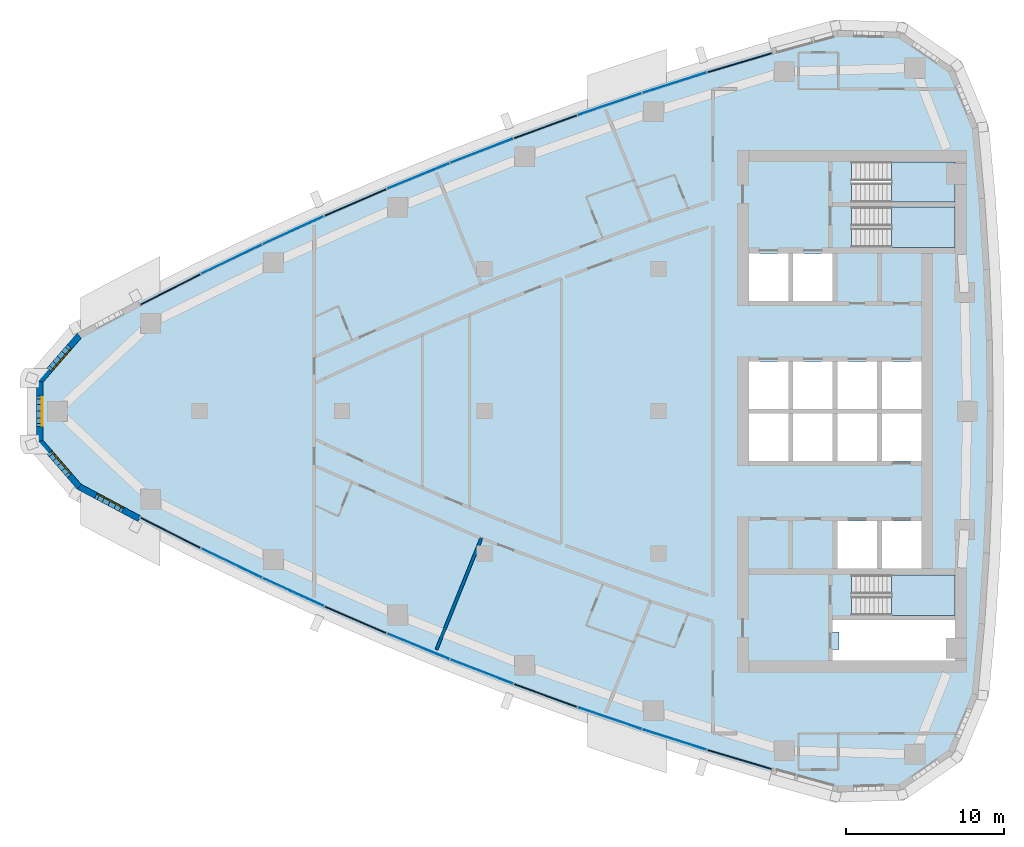
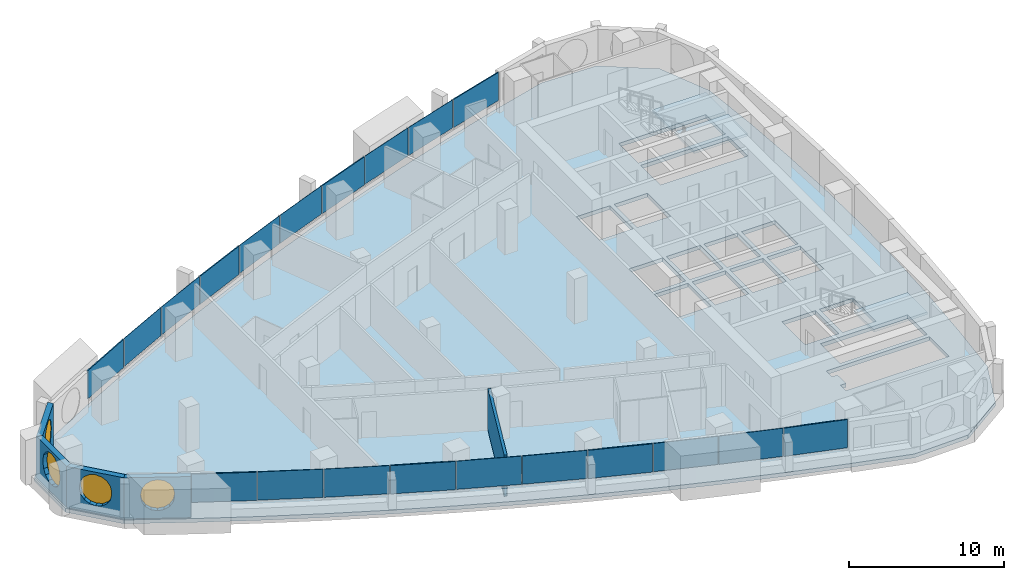
# One storey, part 8 of 16: 20 plates, 5 walls, 4 slabs, 4 windows, 5 openings, 13 elements without a shape of their own.
"""IFC4 building model written with IfcOpenShell, lengths in metres."""

from ifc_helpers import new_model, si_unit, direction, frame, frame_2d, origin, origin_2d, place, context, subcontext, project, spatial, polyline, rectangle, outline, extrude, material, layer, layer_set, type_object, element, fill, aggregate, save


model = new_model("IFC4")

# Units and contexts
model_context = context("Model", 3, precision=1e-05, world=origin(), true_north=direction((0.0, 1.0)))
body_context = subcontext(model_context, "Body", "Model", "MODEL_VIEW")
ifc_project = project(units=[si_unit("LENGTHUNIT", "METRE"), si_unit("AREAUNIT", "SQUARE_METRE"), si_unit("VOLUMEUNIT", "CUBIC_METRE"), si_unit("PLANEANGLEUNIT", "RADIAN"), si_unit("MASSUNIT", "GRAM", prefix="KILO")], contexts=[model_context])

# Site, building, storey
site_placement = place(None, origin())
site = spatial("IfcSite", under=ifc_project, at=site_placement, CompositionType="ELEMENT")
building_placement = place(site_placement, origin())
building = spatial("IfcBuilding", under=site, at=building_placement, Name="Ostrand Prow Hotel Tower", CompositionType="ELEMENT")
storey_placement = place(building_placement, frame((0.0, 0.0, 186.14990234375)))
storey = spatial("IfcBuildingStorey", under=building, at=storey_placement, Name="L46", CompositionType="ELEMENT", Elevation=186.14990234375)

# Curtain wall, plate
ifc_material_1 = material(Name="Insulated glass in bronze anodised frame", Category="glass")
ifc_layer_1 = layer(ifc_material_1, 0.199951171875)
ifc_layer_set_1 = layer_set([ifc_layer_1], Name="Insulated glass in bronze anodised frame")
curtain_wall_type = type_object("IfcCurtainWallType", Name="Strip curtain wall, fritted glass over bronze spandrel", PredefinedType="NOTDEFINED", material=ifc_layer_set_1)
curtain_wall_1_placement = place(storey_placement, origin())
curtain_wall_1 = element("IfcCurtainWall", 1, at=curtain_wall_1_placement, inside=storey, type_object=curtain_wall_type, Name="CW1 run CWS1", PredefinedType="NOTDEFINED")
ifc_material_2 = material(Name="Ceramic-fritted glass", Category="glass")
ifc_layer_2 = layer(ifc_material_2, 0.031982421875)
ifc_layer_set_2 = layer_set([ifc_layer_2], Name="Ceramic-fritted glass")
plate_type_1 = type_object("IfcPlateType", Name="Dot-fritted ceramic glass unit 32 mm", PredefinedType="CURTAIN_PANEL", material=ifc_layer_set_2)
plate_1_placement = place(storey_placement, frame((18.033203125, -9.596435546875, 1.02001953125), z_axis=(0.0, 0.0, 1.0), x_axis=(0.90061633232, -0.434615027304, 0.0)))
plate_1 = element("IfcPlate", 2, at=plate_1_placement, type_object=plate_type_1, Name="CW1 PN-D panel 2.2", PredefinedType="CURTAIN_PANEL", context=body_context, shape_type="SweptSolid", body=[
    extrude(rectangle(XDim=4.2451171875, YDim=0.031982421875, at=origin_2d()), origin(), (0.0, 0.0, 1.0), 2.22998046875),
])

curtain_wall_2_placement = place(storey_placement, origin())
curtain_wall_2 = element("IfcCurtainWall", 3, at=curtain_wall_2_placement, inside=storey, type_object=curtain_wall_type, Name="CW1 run CWS2", PredefinedType="NOTDEFINED")
plate_2_placement = place(storey_placement, frame((21.928955078125, -11.428466796875, 1.02001953125), z_axis=(0.0, 0.0, 1.0), x_axis=(0.909184517226, -0.416393460127, 0.0)))
plate_2 = element("IfcPlate", 4, at=plate_2_placement, type_object=plate_type_1, Name="CW1 PN-D panel 1.2", PredefinedType="CURTAIN_PANEL", context=body_context, shape_type="SweptSolid", body=[
    extrude(rectangle(XDim=4.2451171875, YDim=0.031982421875, at=origin_2d()), origin(), (0.0, 0.0, 1.0), 2.22998046875),
])

# Curtain wall, plates
curtain_wall_3_placement = place(storey_placement, origin())
curtain_wall_3 = element("IfcCurtainWall", 5, at=curtain_wall_3_placement, inside=storey, type_object=curtain_wall_type, Name="CW1 run CWS3", PredefinedType="NOTDEFINED")
plate_3_placement = place(storey_placement, frame((29.826904296875, -14.85498046875, 1.02001953125), z_axis=(0.0, 0.0, 1.0), x_axis=(0.925211042932, -0.379452929936, 0.0)))
plate_3 = element("IfcPlate", 6, at=plate_3_placement, type_object=plate_type_1, Name="CW1 PN-D panel 1.2", PredefinedType="CURTAIN_PANEL", context=body_context, shape_type="SweptSolid", body=[
    extrude(rectangle(XDim=4.2451171875, YDim=0.031982421875, at=origin_2d()), origin(), (0.0, 0.0, 1.0), 2.22998046875),
])
plate_4_placement = place(storey_placement, frame((33.826171875, -16.4482421875, 1.02001953125), z_axis=(0.0, 0.0, 1.0), x_axis=(0.932662950972, -0.360748970732, 0.0)))
plate_4 = element("IfcPlate", 7, at=plate_4_placement, type_object=plate_type_1, Name="CW1 PN-D panel 2.2", PredefinedType="CURTAIN_PANEL", context=body_context, shape_type="SweptSolid", body=[
    extrude(rectangle(XDim=4.2451171875, YDim=0.031982421875, at=origin_2d()), origin(), (0.0, 0.0, 1.0), 2.22998046875),
])
aggregate(curtain_wall_3, [plate_3, plate_4])

# Curtain wall, plate
curtain_wall_4_placement = place(storey_placement, origin())
curtain_wall_4 = element("IfcCurtainWall", 8, at=curtain_wall_4_placement, inside=storey, type_object=curtain_wall_type, Name="CW1 run CWS4", PredefinedType="NOTDEFINED")
plate_5_placement = place(storey_placement, frame((41.91650390625, -19.3916015625, 1.02001953125), z_axis=(0.0, 0.0, 1.0), x_axis=(0.946430245113, -0.322908332404, 0.0)))
plate_5 = element("IfcPlate", 9, at=plate_5_placement, type_object=plate_type_1, Name="CW1 PN-D panel 2.2", PredefinedType="CURTAIN_PANEL", context=body_context, shape_type="SweptSolid", body=[
    extrude(rectangle(XDim=4.2451171875, YDim=0.031982421875, at=origin_2d()), origin(), (0.0, 0.0, 1.0), 2.22998046875),
])

curtain_wall_5_placement = place(storey_placement, origin())
curtain_wall_5 = element("IfcCurtainWall", 10, at=curtain_wall_5_placement, inside=storey, type_object=curtain_wall_type, Name="CW1 run CWS5", PredefinedType="NOTDEFINED")
plate_6_placement = place(storey_placement, frame((46.00439453125, -20.74072265625, 1.02001953125), z_axis=(0.0, 0.0, 1.0), x_axis=(0.952739983864, -0.303786970008, 0.0)))
plate_6 = element("IfcPlate", 11, at=plate_6_placement, type_object=plate_type_1, Name="CW1 PN-D panel 1.2", PredefinedType="CURTAIN_PANEL", context=body_context, shape_type="SweptSolid", body=[
    extrude(rectangle(XDim=4.2451171875, YDim=0.031982421875, at=origin_2d()), origin(), (0.0, 0.0, 1.0), 2.22998046875),
])

curtain_wall_6_placement = place(storey_placement, origin())
curtain_wall_6 = element("IfcCurtainWall", 12, at=curtain_wall_6_placement, inside=storey, type_object=curtain_wall_type, Name="CW1 run CWN1", PredefinedType="NOTDEFINED")
plate_7_placement = place(storey_placement, frame((46.00439453125, 20.74072265625, 1.02001953125), z_axis=(0.0, 0.0, 1.0), x_axis=(-0.952739983864, -0.303786970008, 0.0)))
plate_7 = element("IfcPlate", 13, at=plate_7_placement, type_object=plate_type_1, Name="CW1 PN-D panel 2.2", PredefinedType="CURTAIN_PANEL", context=body_context, shape_type="SweptSolid", body=[
    extrude(rectangle(XDim=4.2451171875, YDim=0.031982421875, at=origin_2d()), origin(), (0.0, 0.0, 1.0), 2.22998046875),
])

curtain_wall_7_placement = place(storey_placement, origin())
curtain_wall_7 = element("IfcCurtainWall", 14, at=curtain_wall_7_placement, inside=storey, type_object=curtain_wall_type, Name="CW1 run CWN2", PredefinedType="NOTDEFINED")
plate_8_placement = place(storey_placement, frame((41.91650390625, 19.3916015625, 1.02001953125), z_axis=(0.0, 0.0, 1.0), x_axis=(-0.946430245113, -0.322908332404, 0.0)))
plate_8 = element("IfcPlate", 15, at=plate_8_placement, type_object=plate_type_1, Name="CW1 PN-D panel 1.2", PredefinedType="CURTAIN_PANEL", context=body_context, shape_type="SweptSolid", body=[
    extrude(rectangle(XDim=4.2451171875, YDim=0.031982421875, at=origin_2d()), origin(), (0.0, 0.0, 1.0), 2.22998046875),
])

# Curtain wall, plates
curtain_wall_8_placement = place(storey_placement, origin())
curtain_wall_8 = element("IfcCurtainWall", 16, at=curtain_wall_8_placement, inside=storey, type_object=curtain_wall_type, Name="CW1 run CWN3", PredefinedType="NOTDEFINED")
plate_9_placement = place(storey_placement, frame((33.826171875, 16.4482421875, 1.02001953125), z_axis=(0.0, 0.0, 1.0), x_axis=(-0.932662950972, -0.360748970732, 0.0)))
plate_9 = element("IfcPlate", 17, at=plate_9_placement, type_object=plate_type_1, Name="CW1 PN-D panel 1.2", PredefinedType="CURTAIN_PANEL", context=body_context, shape_type="SweptSolid", body=[
    extrude(rectangle(XDim=4.2451171875, YDim=0.031982421875, at=origin_2d()), origin(), (0.0, 0.0, 1.0), 2.22998046875),
])
plate_10_placement = place(storey_placement, frame((29.826904296875, 14.85498046875, 1.02001953125), z_axis=(0.0, 0.0, 1.0), x_axis=(-0.925211042932, -0.379452929936, 0.0)))
plate_10 = element("IfcPlate", 18, at=plate_10_placement, type_object=plate_type_1, Name="CW1 PN-D panel 2.2", PredefinedType="CURTAIN_PANEL", context=body_context, shape_type="SweptSolid", body=[
    extrude(rectangle(XDim=4.2451171875, YDim=0.031982421875, at=origin_2d()), origin(), (0.0, 0.0, 1.0), 2.22998046875),
])
aggregate(curtain_wall_8, [plate_9, plate_10])

# Curtain wall, plate
curtain_wall_9_placement = place(storey_placement, origin())
curtain_wall_9 = element("IfcCurtainWall", 19, at=curtain_wall_9_placement, inside=storey, type_object=curtain_wall_type, Name="CW1 run CWN4", PredefinedType="NOTDEFINED")
plate_11_placement = place(storey_placement, frame((21.928955078125, 11.428466796875, 1.02001953125), z_axis=(0.0, 0.0, 1.0), x_axis=(-0.909184517226, -0.416393460127, 0.0)))
plate_11 = element("IfcPlate", 20, at=plate_11_placement, type_object=plate_type_1, Name="CW1 PN-D panel 2.2", PredefinedType="CURTAIN_PANEL", context=body_context, shape_type="SweptSolid", body=[
    extrude(rectangle(XDim=4.2451171875, YDim=0.031982421875, at=origin_2d()), origin(), (0.0, 0.0, 1.0), 2.22998046875),
])

curtain_wall_10_placement = place(storey_placement, origin())
curtain_wall_10 = element("IfcCurtainWall", 21, at=curtain_wall_10_placement, inside=storey, type_object=curtain_wall_type, Name="CW1 run CWN5", PredefinedType="NOTDEFINED")
plate_12_placement = place(storey_placement, frame((18.033203125, 9.596435546875, 1.02001953125), z_axis=(0.0, 0.0, 1.0), x_axis=(-0.90061633232, -0.434615027304, 0.0)))
plate_12 = element("IfcPlate", 22, at=plate_12_placement, type_object=plate_type_1, Name="CW1 PN-D panel 1.2", PredefinedType="CURTAIN_PANEL", context=body_context, shape_type="SweptSolid", body=[
    extrude(rectangle(XDim=4.2451171875, YDim=0.031982421875, at=origin_2d()), origin(), (0.0, 0.0, 1.0), 2.22998046875),
])

# Plate
ifc_material_3 = material(Name="Fritted glass in bronze vent frame", Category="glass")
ifc_layer_3 = layer(ifc_material_3, 0.080078125)
ifc_layer_set_3 = layer_set([ifc_layer_3], Name="Fritted glass in bronze vent frame")
plate_type_2 = type_object("IfcPlateType", Name="Operable vent panel 80 mm", PredefinedType="CURTAIN_PANEL", material=ifc_layer_set_3)
plate_13_placement = place(storey_placement, frame((14.17529296875, -7.6865234375, 1.02001953125), z_axis=(0.0, 0.0, 1.0), x_axis=(0.891683792196, -0.452658828186, 0.0)))
plate_13 = element("IfcPlate", 23, at=plate_13_placement, type_object=plate_type_2, Name="CW1 PN-O2 panel 1.2", PredefinedType="CURTAIN_PANEL", context=body_context, shape_type="SweptSolid", body=[
    extrude(rectangle(XDim=4.2451171875, YDim=0.080078125, at=origin_2d()), origin(), (0.0, 0.0, 1.0), 2.22998046875),
])

aggregate(curtain_wall_1, [plate_13, plate_1])

plate_14_placement = place(storey_placement, frame((25.860595703125, -13.181396484375, 1.02001953125), z_axis=(0.0, 0.0, 1.0), x_axis=(0.917383388347, -0.398004671812, 0.0)))
plate_14 = element("IfcPlate", 24, at=plate_14_placement, type_object=plate_type_2, Name="CW1 PN-O2 panel 2.2", PredefinedType="CURTAIN_PANEL", context=body_context, shape_type="SweptSolid", body=[
    extrude(rectangle(XDim=4.2451171875, YDim=0.080078125, at=origin_2d()), origin(), (0.0, 0.0, 1.0), 2.22998046875),
])

aggregate(curtain_wall_2, [plate_2, plate_14])

plate_15_placement = place(storey_placement, frame((37.8564453125, -17.960693359375, 1.02001953125), z_axis=(0.0, 0.0, 1.0), x_axis=(0.939737383067, -0.341897134919, 0.0)))
plate_15 = element("IfcPlate", 25, at=plate_15_placement, type_object=plate_type_2, Name="CW1 PN-O2 panel 1.2", PredefinedType="CURTAIN_PANEL", context=body_context, shape_type="SweptSolid", body=[
    extrude(rectangle(XDim=4.2451171875, YDim=0.080078125, at=origin_2d()), origin(), (0.0, 0.0, 1.0), 2.22998046875),
])

aggregate(curtain_wall_4, [plate_15, plate_5])

plate_16_placement = place(storey_placement, frame((50.118896484375, -22.007080078125, 1.02001953125), z_axis=(0.0, 0.0, 1.0), x_axis=(0.958662947758, -0.284544113619, 0.0)))
plate_16 = element("IfcPlate", 26, at=plate_16_placement, type_object=plate_type_2, Name="CW1 PN-O2 panel 2.2", PredefinedType="CURTAIN_PANEL", context=body_context, shape_type="SweptSolid", body=[
    extrude(rectangle(XDim=4.2451171875, YDim=0.080078125, at=origin_2d()), origin(), (0.0, 0.0, 1.0), 2.22998046875),
])

aggregate(curtain_wall_5, [plate_6, plate_16])

plate_17_placement = place(storey_placement, frame((50.118896484375, 22.007080078125, 1.02001953125), z_axis=(0.0, 0.0, 1.0), x_axis=(-0.958662947758, -0.284544113619, 0.0)))
plate_17 = element("IfcPlate", 27, at=plate_17_placement, type_object=plate_type_2, Name="CW1 PN-O2 panel 1.2", PredefinedType="CURTAIN_PANEL", context=body_context, shape_type="SweptSolid", body=[
    extrude(rectangle(XDim=4.2451171875, YDim=0.080078125, at=origin_2d()), origin(), (0.0, 0.0, 1.0), 2.22998046875),
])

aggregate(curtain_wall_6, [plate_17, plate_7])

plate_18_placement = place(storey_placement, frame((37.8564453125, 17.960693359375, 1.02001953125), z_axis=(0.0, 0.0, 1.0), x_axis=(-0.939737383067, -0.341897134919, 0.0)))
plate_18 = element("IfcPlate", 28, at=plate_18_placement, type_object=plate_type_2, Name="CW1 PN-O2 panel 2.2", PredefinedType="CURTAIN_PANEL", context=body_context, shape_type="SweptSolid", body=[
    extrude(rectangle(XDim=4.2451171875, YDim=0.080078125, at=origin_2d()), origin(), (0.0, 0.0, 1.0), 2.22998046875),
])

aggregate(curtain_wall_7, [plate_8, plate_18])

plate_19_placement = place(storey_placement, frame((25.860595703125, 13.181396484375, 1.02001953125), z_axis=(0.0, 0.0, 1.0), x_axis=(-0.917383388347, -0.398004671812, 0.0)))
plate_19 = element("IfcPlate", 29, at=plate_19_placement, type_object=plate_type_2, Name="CW1 PN-O2 panel 1.2", PredefinedType="CURTAIN_PANEL", context=body_context, shape_type="SweptSolid", body=[
    extrude(rectangle(XDim=4.2451171875, YDim=0.080078125, at=origin_2d()), origin(), (0.0, 0.0, 1.0), 2.22998046875),
])

aggregate(curtain_wall_9, [plate_19, plate_11])

plate_20_placement = place(storey_placement, frame((14.17529296875, 7.6865234375, 1.02001953125), z_axis=(0.0, 0.0, 1.0), x_axis=(-0.891683792196, -0.452658828186, 0.0)))
plate_20 = element("IfcPlate", 30, at=plate_20_placement, type_object=plate_type_2, Name="CW1 PN-O2 panel 2.2", PredefinedType="CURTAIN_PANEL", context=body_context, shape_type="SweptSolid", body=[
    extrude(rectangle(XDim=4.2451171875, YDim=0.080078125, at=origin_2d()), origin(), (0.0, 0.0, 1.0), 2.22998046875),
])

aggregate(curtain_wall_10, [plate_12, plate_20])

# Slab, opening
ifc_material_4 = material(Name="Concrete C40/50", Category="concrete")
ifc_layer_4 = layer(ifc_material_4, 0.300048828125)
ifc_layer_set_4 = layer_set([ifc_layer_4], Name="Concrete C40/50")
slab_type_1 = type_object("IfcSlabType", Name="PT flat plate 300 C40/50", PredefinedType="FLOOR", material=ifc_layer_set_4)
slab_1_placement = place(storey_placement, frame((0.0, 0.0, -0.2998046875)))
slab_1 = element("IfcSlab", 31, at=slab_1_placement, inside=storey, type_object=slab_type_1, Name="Floor slab L46-1", PredefinedType="FLOOR", context=body_context, shape_type="SweptSolid", body=[
    extrude(outline(polyline([(8.22216796875, 5.025634765625), (12.06689453125, 7.07568359375), (15.912841796875, 9.0283203125), (19.797607421875, 10.90283203125), (23.718994140625, 12.698974609375), (27.676025390625, 14.41552734375), (31.666748046875, 16.05224609375), (35.689697265625, 17.6083984375), (39.7431640625, 19.0830078125), (43.8251953125, 20.475830078125), (47.934814453125, 21.7861328125), (52.06982421875, 23.013427734375), (56.26220703125, 24.16650390625), (60.3349609375, 24.0498046875), (63.721435546875, 21.719482421875), (65.2861328125, 17.957275390625), (65.70947265625, 13.453369140625), (66.009765625, 8.974365234375), (66.18994140625, 4.48876953125), (66.25, 0.0), (66.18994140625, -4.48876953125), (66.009765625, -8.974365234375), (65.70947265625, -13.453369140625), (65.2861328125, -17.957275390625), (63.721435546875, -21.719482421875), (60.3349609375, -24.0498046875), (56.26220703125, -24.16650390625), (52.06982421875, -23.013427734375), (47.934814453125, -21.7861328125), (43.8251953125, -20.475830078125), (39.7431640625, -19.0830078125), (35.689697265625, -17.6083984375), (31.666748046875, -16.05224609375), (27.676025390625, -14.41552734375), (23.718994140625, -12.698974609375), (19.797607421875, -10.90283203125), (15.912841796875, -9.0283203125), (12.06689453125, -7.07568359375), (8.22216796875, -5.025634765625), (5.614013671875, -2.014892578125), (5.614013671875, 2.014892578125), (8.22216796875, 5.025634765625)]), holes=[polyline([(50.699951171875, 6.949951171875), (53.199951171875, 6.949951171875), (53.199951171875, 9.949951171875), (50.699951171875, 9.949951171875), (50.699951171875, 6.949951171875)]), polyline([(53.5, 6.949951171875), (56.0, 6.949951171875), (56.0, 9.949951171875), (53.5, 9.949951171875), (53.5, 6.949951171875)]), polyline([(50.699951171875, 0.14990234375), (53.199951171875, 0.14990234375), (53.199951171875, 3.14990234375), (50.699951171875, 3.14990234375), (50.699951171875, 0.14990234375)]), polyline([(53.5, 0.14990234375), (56.0, 0.14990234375), (56.0, 3.14990234375), (53.5, 3.14990234375), (53.5, 0.14990234375)]), polyline([(56.300048828125, 0.14990234375), (58.800048828125, 0.14990234375), (58.800048828125, 3.14990234375), (56.300048828125, 3.14990234375), (56.300048828125, 0.14990234375)]), polyline([(59.10009765625, 0.14990234375), (61.60009765625, 0.14990234375), (61.60009765625, 3.14990234375), (59.10009765625, 3.14990234375), (59.10009765625, 0.14990234375)]), polyline([(50.699951171875, -3.14990234375), (53.199951171875, -3.14990234375), (53.199951171875, -0.14990234375), (50.699951171875, -0.14990234375), (50.699951171875, -3.14990234375)]), polyline([(53.5, -3.14990234375), (56.0, -3.14990234375), (56.0, -0.14990234375), (53.5, -0.14990234375), (53.5, -3.14990234375)]), polyline([(56.300048828125, -3.14990234375), (58.800048828125, -3.14990234375), (58.800048828125, -0.14990234375), (56.300048828125, -0.14990234375), (56.300048828125, -3.14990234375)]), polyline([(59.10009765625, -3.14990234375), (61.60009765625, -3.14990234375), (61.60009765625, -0.14990234375), (59.10009765625, -0.14990234375), (59.10009765625, -3.14990234375)]), polyline([(56.300048828125, -9.949951171875), (58.800048828125, -9.949951171875), (58.800048828125, -6.949951171875), (56.300048828125, -6.949951171875), (56.300048828125, -9.949951171875)]), polyline([(59.10009765625, -9.949951171875), (61.60009765625, -9.949951171875), (61.60009765625, -6.949951171875), (59.10009765625, -6.949951171875), (59.10009765625, -9.949951171875)]), polyline([(57.200927734375, 10.35107421875), (57.200927734375, 12.89892578125), (63.718994140625, 12.89892578125), (63.718994140625, 10.35107421875), (57.200927734375, 10.35107421875)]), polyline([(57.200927734375, 13.200927734375), (57.200927734375, 15.7490234375), (63.718994140625, 15.7490234375), (63.718994140625, 13.200927734375), (57.200927734375, 13.200927734375)]), polyline([(57.200927734375, -12.89892578125), (57.200927734375, -10.35107421875), (63.718994140625, -10.35107421875), (63.718994140625, -12.89892578125), (57.200927734375, -12.89892578125)]), polyline([(63.719970703125, -13.199951171875), (63.719970703125, -15.75), (56.0, -15.75), (56.0, -15.050048828125), (56.39990234375, -15.050048828125), (56.39990234375, -13.949951171875), (56.0, -13.949951171875), (56.0, -13.199951171875), (63.719970703125, -13.199951171875)])]), origin(), (0.0, 0.0, 1.0), 0.2998046875),
])
opening_1_placement = place(slab_1_placement, origin())
element("IfcOpeningElement", 32, at=opening_1_placement, cuts=slab_1, Name="Shaft opening 1", PredefinedType="OPENING", context=body_context, shape_type="SweptSolid", body=[
    extrude(outline(polyline([(63.719970703125, -13.199951171875), (63.719970703125, -15.75), (56.0, -15.75), (56.0, -15.050048828125), (56.39990234375, -15.050048828125), (56.39990234375, -13.949951171875), (56.0, -13.949951171875), (56.0, -13.199951171875), (63.719970703125, -13.199951171875)])), origin(), (0.0, 0.0, 1.0), 0.2998046875),
])

# Stair, slab
ifc_material_5 = material(Name="Concrete C40/50", Category="concrete")
stair_type = type_object("IfcStairType", Name="Exit stair 1200 upper zone", PredefinedType="HALF_TURN_STAIR", material=ifc_material_5)
stair_1_placement = place(storey_placement, origin())
stair_1 = element("IfcStair", 33, at=stair_1_placement, inside=storey, type_object=stair_type, Name="L46 ST1C", PredefinedType="HALF_TURN_STAIR")
ifc_material_6 = material(Name="Concrete C40/50", Category="concrete")
ifc_layer_5 = layer(ifc_material_6, 0.199951171875)
ifc_layer_set_5 = layer_set([ifc_layer_5], Name="Concrete C40/50")
slab_type_2 = type_object("IfcSlabType", Name="Stair landing 200 concrete", PredefinedType="LANDING", material=ifc_layer_set_5)
slab_2_placement = place(storey_placement, frame((0.0, 0.0, 1.5751953125)))
slab_2 = element("IfcSlab", 34, at=slab_2_placement, type_object=slab_type_2, Name="ST1C landing 1", PredefinedType="LANDING", context=body_context, shape_type="SweptSolid", body=[
    extrude(outline(polyline([(59.719970703125, 10.35009765625), (63.719970703125, 10.35009765625), (63.719970703125, 12.89990234375), (59.719970703125, 12.89990234375), (59.719970703125, 10.35009765625)])), origin(), (0.0, 0.0, 1.0), 0.199951171875),
])
aggregate(stair_1, [slab_2])

stair_2_placement = place(storey_placement, origin())
stair_2 = element("IfcStair", 35, at=stair_2_placement, inside=storey, type_object=stair_type, Name="L46 ST3C", PredefinedType="HALF_TURN_STAIR")
slab_3_placement = place(storey_placement, frame((0.0, 0.0, 1.5751953125)))
slab_3 = element("IfcSlab", 36, at=slab_3_placement, type_object=slab_type_2, Name="ST3C landing 1", PredefinedType="LANDING", context=body_context, shape_type="SweptSolid", body=[
    extrude(outline(polyline([(59.719970703125, 13.199951171875), (63.719970703125, 13.199951171875), (63.719970703125, 15.75), (59.719970703125, 15.75), (59.719970703125, 13.199951171875)])), origin(), (0.0, 0.0, 1.0), 0.199951171875),
])
aggregate(stair_2, [slab_3])

stair_3_placement = place(storey_placement, origin())
stair_3 = element("IfcStair", 37, at=stair_3_placement, inside=storey, type_object=stair_type, Name="L46 ST2C", PredefinedType="HALF_TURN_STAIR")
slab_4_placement = place(storey_placement, frame((0.0, 0.0, 1.5751953125)))
slab_4 = element("IfcSlab", 38, at=slab_4_placement, type_object=slab_type_2, Name="ST2C landing 1", PredefinedType="LANDING", context=body_context, shape_type="SweptSolid", body=[
    extrude(outline(polyline([(59.719970703125, -12.89990234375), (63.719970703125, -12.89990234375), (63.719970703125, -10.35009765625), (59.719970703125, -10.35009765625), (59.719970703125, -12.89990234375)])), origin(), (0.0, 0.0, 1.0), 0.199951171875),
])
aggregate(stair_3, [slab_4])

# Wall
ifc_material_7 = material(Name="Plasterboard partition")
ifc_layer_6 = layer(ifc_material_7, 0.199951171875)
ifc_layer_set_6 = layer_set([ifc_layer_6], Name="Plasterboard partition")
wall_type_1 = type_object("IfcWallType", Name="Partition 200 key partition", PredefinedType="PARTITIONING", material=ifc_layer_set_6)
wall_1_placement = place(storey_placement, frame((30.967041015625, -15.062744140625, 0.0), z_axis=(0.0, 0.0, 1.0), x_axis=(0.373887223455, 0.927474174378, 0.0)))
element("IfcWall", 39, at=wall_1_placement, inside=storey, type_object=wall_type_1, Name="KEY PARTITION", PredefinedType="PARTITIONING", context=body_context, shape_type="SweptSolid", body=[
    extrude(rectangle(XDim=7.60009765625, YDim=0.199951171875, at=frame_2d((3.800048828125, 0.0))), origin(), (0.0, 0.0, 1.0), 3.25),
])

# Wall, opening, window
ifc_material_8 = material(Name="Precast concrete C40/50", Category="concrete")
ifc_layer_7 = layer(ifc_material_8, 0.39990234375)
ifc_layer_set_7 = layer_set([ifc_layer_7], Name="Precast concrete C40/50")
wall_type_2 = type_object("IfcWallType", Name="Stone-faced precast wall 400 mm", PredefinedType="NOTDEFINED", material=ifc_layer_set_7)
wall_2_placement = place(storey_placement, frame((8.4091796875, 4.7744140625, 0.0), z_axis=(0.0, 0.0, 1.0), x_axis=(-0.654759384203, -0.755837382509, 0.0)))
wall_2 = element("IfcWall", 40, at=wall_2_placement, inside=storey, type_object=wall_type_2, Name="Stone-faced wall prow 2", PredefinedType="NOTDEFINED", context=body_context, shape_type="SweptSolid", body=[
    extrude(outline(polyline([(-0.037109375, -0.199951171875), (3.87646484375, -0.199951171875), (3.72705078125, 0.199951171875), (0.037109375, 0.199951171875), (-0.037109375, -0.199951171875)])), origin(), (0.0, 0.0, 1.0), 3.25),
])
opening_2_placement = place(wall_2_placement, frame((0.80078125, 0.0, 0.60009765625)))
opening_2 = element("IfcOpeningElement", 41, at=opening_2_placement, cuts=wall_2, Name="Opening WP1", PredefinedType="OPENING", context=body_context, shape_type="SweptSolid", body=[
    extrude(outline(polyline([(0.0, 1.35009765625), (0.083740234375, 1.77099609375), (0.322265625, 2.127685546875), (0.678955078125, 2.3662109375), (1.10009765625, 2.449951171875), (1.52099609375, 2.3662109375), (1.877685546875, 2.127685546875), (2.1162109375, 1.77099609375), (2.199951171875, 1.35009765625), (2.199951171875, 1.10009765625), (2.1162109375, 0.678955078125), (1.877685546875, 0.322265625), (1.52099609375, 0.083740234375), (1.10009765625, 0.0), (0.678955078125, 0.083740234375), (0.322265625, 0.322265625), (0.083740234375, 0.678955078125), (0.0, 1.099853515625), (0.0, 1.35009765625)])), frame((0.0, 0.2099609375, 0.0), z_axis=(0.0, -1.0, 0.0), x_axis=(1.0, 0.0, 0.0)), (0.0, 0.0, 1.0), 0.419921875),
])
ifc_material_9 = material(Name="Insulated glass in bronze frame", Category="glass")
window_type = type_object("IfcWindowType", Name="Round-ended prow window 2200x2450", PartitioningType="SINGLE_PANEL", PredefinedType="WINDOW", material=ifc_material_9)
window_1_placement = place(opening_2_placement, origin())
window_1 = element("IfcWindow", 42, at=window_1_placement, inside=storey, type_object=window_type, Name="Window prow 2.1", OverallHeight=2.449951171875, OverallWidth=2.199951171875, PartitioningType="SINGLE_PANEL", PredefinedType="WINDOW", context=body_context, shape_type="SweptSolid", body=[
    extrude(outline(polyline([(0.0, 1.35009765625), (0.083740234375, 1.77099609375), (0.322265625, 2.127685546875), (0.678955078125, 2.3662109375), (1.10009765625, 2.449951171875), (1.52099609375, 2.3662109375), (1.877685546875, 2.127685546875), (2.1162109375, 1.77099609375), (2.199951171875, 1.35009765625), (2.199951171875, 1.10009765625), (2.1162109375, 0.678955078125), (1.877685546875, 0.322265625), (1.52099609375, 0.083740234375), (1.10009765625, 0.0), (0.678955078125, 0.083740234375), (0.322265625, 0.322265625), (0.083740234375, 0.678955078125), (0.0, 1.099853515625), (0.0, 1.35009765625)])), frame((0.0, 0.169921875, 0.0), z_axis=(0.0, -1.0, 0.0), x_axis=(1.0, 0.0, 0.0)), (0.0, 0.0, 1.0), 0.06005859375),
])
fill(opening_2, window_1)

wall_3_placement = place(storey_placement, frame((5.919921875, 1.90087890625, 0.0), z_axis=(0.0, 0.0, 1.0), x_axis=(0.0, -1.0, 0.0)))
wall_3 = element("IfcWall", 43, at=wall_3_placement, inside=storey, type_object=wall_type_2, Name="Stone-faced wall prow 3", PredefinedType="NOTDEFINED", context=body_context, shape_type="SweptSolid", body=[
    extrude(outline(polyline([(-0.07470703125, -0.199951171875), (3.87646484375, -0.199951171875), (3.72705078125, 0.199951171875), (0.07470703125, 0.199951171875), (-0.07470703125, -0.199951171875)])), origin(), (0.0, 0.0, 1.0), 3.25),
])
opening_3_placement = place(wall_3_placement, frame((0.80078125, 0.0, 0.60009765625)))
opening_3 = element("IfcOpeningElement", 44, at=opening_3_placement, cuts=wall_3, Name="Opening WP1", PredefinedType="OPENING", context=body_context, shape_type="SweptSolid", body=[
    extrude(outline(polyline([(0.0, 1.35009765625), (0.083740234375, 1.77099609375), (0.322265625, 2.127685546875), (0.678955078125, 2.3662109375), (1.10009765625, 2.449951171875), (1.52099609375, 2.3662109375), (1.877685546875, 2.127685546875), (2.1162109375, 1.77099609375), (2.199951171875, 1.35009765625), (2.199951171875, 1.10009765625), (2.1162109375, 0.678955078125), (1.877685546875, 0.322265625), (1.52099609375, 0.083740234375), (1.10009765625, 0.0), (0.678955078125, 0.083740234375), (0.322265625, 0.322265625), (0.083740234375, 0.678955078125), (0.0, 1.099853515625), (0.0, 1.35009765625)])), frame((0.0, 0.2099609375, 0.0), z_axis=(0.0, -1.0, 0.0), x_axis=(1.0, 0.0, 0.0)), (0.0, 0.0, 1.0), 0.419921875),
])
window_2_placement = place(opening_3_placement, origin())
window_2 = element("IfcWindow", 45, at=window_2_placement, inside=storey, type_object=window_type, Name="Window prow 3.1", OverallHeight=2.449951171875, OverallWidth=2.199951171875, PartitioningType="SINGLE_PANEL", PredefinedType="WINDOW", context=body_context, shape_type="SweptSolid", body=[
    extrude(outline(polyline([(0.0, 1.35009765625), (0.083740234375, 1.77099609375), (0.322265625, 2.127685546875), (0.678955078125, 2.3662109375), (1.10009765625, 2.449951171875), (1.52099609375, 2.3662109375), (1.877685546875, 2.127685546875), (2.1162109375, 1.77099609375), (2.199951171875, 1.35009765625), (2.199951171875, 1.10009765625), (2.1162109375, 0.678955078125), (1.877685546875, 0.322265625), (1.52099609375, 0.083740234375), (1.10009765625, 0.0), (0.678955078125, 0.083740234375), (0.322265625, 0.322265625), (0.083740234375, 0.678955078125), (0.0, 1.099853515625), (0.0, 1.35009765625)])), frame((0.0, 0.169921875, 0.0), z_axis=(0.0, -1.0, 0.0), x_axis=(1.0, 0.0, 0.0)), (0.0, 0.0, 1.0), 0.06005859375),
])
fill(opening_3, window_2)

wall_4_placement = place(storey_placement, frame((5.919921875, -1.90087890625, 0.0), z_axis=(0.0, 0.0, 1.0), x_axis=(0.654759384203, -0.755837382509, 0.0)))
wall_4 = element("IfcWall", 46, at=wall_4_placement, inside=storey, type_object=wall_type_2, Name="Stone-faced wall prow 4", PredefinedType="NOTDEFINED", context=body_context, shape_type="SweptSolid", body=[
    extrude(outline(polyline([(-0.07470703125, -0.199951171875), (3.8388671875, -0.199951171875), (3.7646484375, 0.199951171875), (0.07470703125, 0.199951171875), (-0.07470703125, -0.199951171875)])), origin(), (0.0, 0.0, 1.0), 3.25),
])
opening_4_placement = place(wall_4_placement, frame((0.80078125, 0.0, 0.60009765625)))
opening_4 = element("IfcOpeningElement", 47, at=opening_4_placement, cuts=wall_4, Name="Opening WP1", PredefinedType="OPENING", context=body_context, shape_type="SweptSolid", body=[
    extrude(outline(polyline([(0.0, 1.35009765625), (0.083740234375, 1.77099609375), (0.322265625, 2.127685546875), (0.678955078125, 2.3662109375), (1.10009765625, 2.449951171875), (1.52099609375, 2.3662109375), (1.877685546875, 2.127685546875), (2.1162109375, 1.77099609375), (2.199951171875, 1.35009765625), (2.199951171875, 1.10009765625), (2.1162109375, 0.678955078125), (1.877685546875, 0.322265625), (1.52099609375, 0.083740234375), (1.10009765625, 0.0), (0.678955078125, 0.083740234375), (0.322265625, 0.322265625), (0.083740234375, 0.678955078125), (0.0, 1.099853515625), (0.0, 1.35009765625)])), frame((0.0, 0.2099609375, 0.0), z_axis=(0.0, -1.0, 0.0), x_axis=(1.0, 0.0, 0.0)), (0.0, 0.0, 1.0), 0.419921875),
])
window_3_placement = place(opening_4_placement, origin())
window_3 = element("IfcWindow", 48, at=window_3_placement, inside=storey, type_object=window_type, Name="Window prow 4.1", OverallHeight=2.449951171875, OverallWidth=2.199951171875, PartitioningType="SINGLE_PANEL", PredefinedType="WINDOW", context=body_context, shape_type="SweptSolid", body=[
    extrude(outline(polyline([(0.0, 1.35009765625), (0.083740234375, 1.77099609375), (0.322265625, 2.127685546875), (0.678955078125, 2.3662109375), (1.10009765625, 2.449951171875), (1.52099609375, 2.3662109375), (1.877685546875, 2.127685546875), (2.1162109375, 1.77099609375), (2.199951171875, 1.35009765625), (2.199951171875, 1.10009765625), (2.1162109375, 0.678955078125), (1.877685546875, 0.322265625), (1.52099609375, 0.083740234375), (1.10009765625, 0.0), (0.678955078125, 0.083740234375), (0.322265625, 0.322265625), (0.083740234375, 0.678955078125), (0.0, 1.099853515625), (0.0, 1.35009765625)])), frame((0.0, 0.169921875, 0.0), z_axis=(0.0, -1.0, 0.0), x_axis=(1.0, 0.0, 0.0)), (0.0, 0.0, 1.0), 0.06005859375),
])
fill(opening_4, window_3)

wall_5_placement = place(storey_placement, frame((8.4091796875, -4.7744140625, 0.0), z_axis=(0.0, 0.0, 1.0), x_axis=(0.882385889746, -0.470526451518, 0.0)))
wall_5 = element("IfcWall", 49, at=wall_5_placement, inside=storey, type_object=wall_type_2, Name="Stone-faced wall prow 5", PredefinedType="NOTDEFINED", context=body_context, shape_type="SweptSolid", body=[
    extrude(outline(polyline([(-0.037109375, -0.199951171875), (4.30712890625, -0.199951171875), (4.30712890625, 0.199951171875), (0.037109375, 0.199951171875), (-0.037109375, -0.199951171875)])), origin(), (0.0, 0.0, 1.0), 3.25),
])
opening_5_placement = place(wall_5_placement, frame((1.053466796875, 0.0, 0.60009765625)))
opening_5 = element("IfcOpeningElement", 50, at=opening_5_placement, cuts=wall_5, Name="Opening WP1", PredefinedType="OPENING", context=body_context, shape_type="SweptSolid", body=[
    extrude(outline(polyline([(0.0, 1.35009765625), (0.083740234375, 1.77099609375), (0.322265625, 2.127685546875), (0.678955078125, 2.3662109375), (1.10009765625, 2.449951171875), (1.52099609375, 2.3662109375), (1.877685546875, 2.127685546875), (2.1162109375, 1.77099609375), (2.199951171875, 1.35009765625), (2.199951171875, 1.10009765625), (2.1162109375, 0.678955078125), (1.877685546875, 0.322265625), (1.52099609375, 0.083740234375), (1.10009765625, 0.0), (0.678955078125, 0.083740234375), (0.322265625, 0.322265625), (0.083740234375, 0.678955078125), (0.0, 1.099853515625), (0.0, 1.35009765625)])), frame((0.0, 0.2099609375, 0.0), z_axis=(0.0, -1.0, 0.0), x_axis=(1.0, 0.0, 0.0)), (0.0, 0.0, 1.0), 0.419921875),
])
window_4_placement = place(opening_5_placement, origin())
window_4 = element("IfcWindow", 51, at=window_4_placement, inside=storey, type_object=window_type, Name="Window prow 5.1", OverallHeight=2.449951171875, OverallWidth=2.199951171875, PartitioningType="SINGLE_PANEL", PredefinedType="WINDOW", context=body_context, shape_type="SweptSolid", body=[
    extrude(outline(polyline([(0.0, 1.35009765625), (0.083740234375, 1.77099609375), (0.322265625, 2.127685546875), (0.678955078125, 2.3662109375), (1.10009765625, 2.449951171875), (1.52099609375, 2.3662109375), (1.877685546875, 2.127685546875), (2.1162109375, 1.77099609375), (2.199951171875, 1.35009765625), (2.199951171875, 1.10009765625), (2.1162109375, 0.678955078125), (1.877685546875, 0.322265625), (1.52099609375, 0.083740234375), (1.10009765625, 0.0), (0.678955078125, 0.083740234375), (0.322265625, 0.322265625), (0.083740234375, 0.678955078125), (0.0, 1.099853515625), (0.0, 1.35009765625)])), frame((0.0, 0.169921875, 0.0), z_axis=(0.0, -1.0, 0.0), x_axis=(1.0, 0.0, 0.0)), (0.0, 0.0, 1.0), 0.06005859375),
])
fill(opening_5, window_4)

save(model, "model.ifc")
